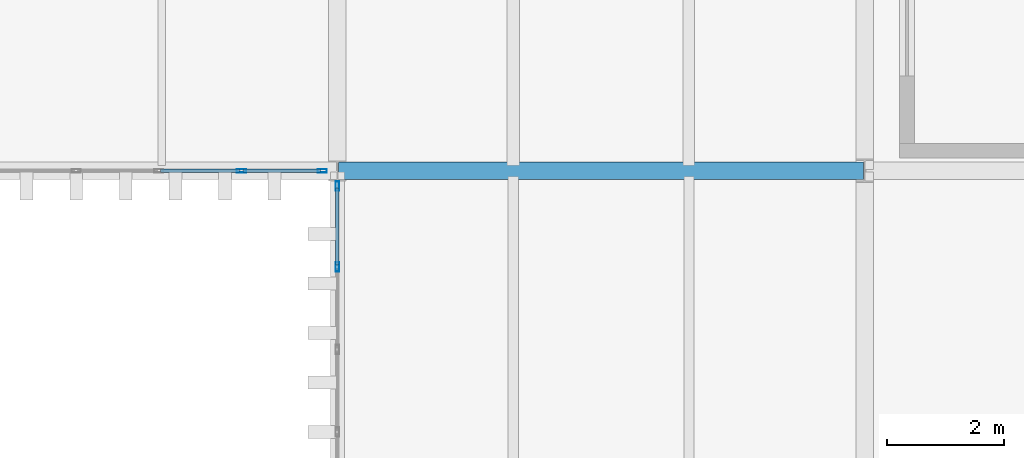
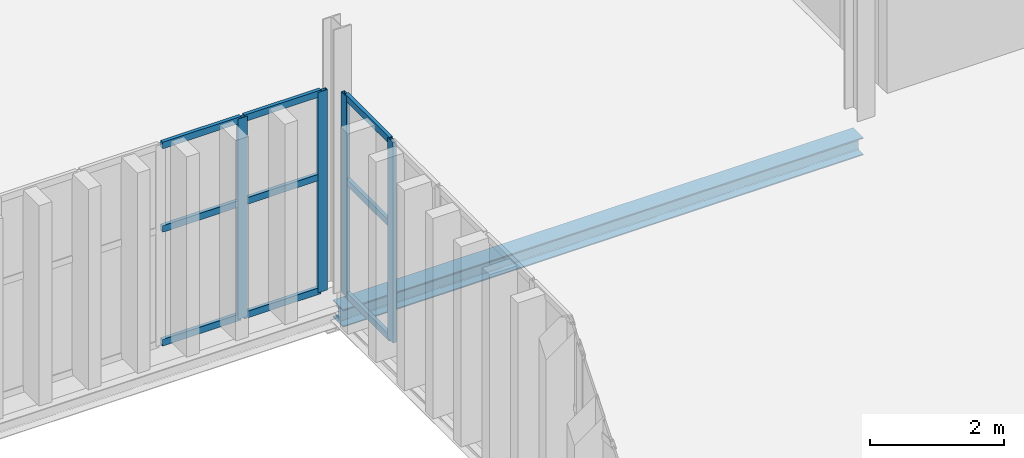
# One storey, part 143 of 196: 13 members, 1 beam, 2 elements without a shape of their own.
"""IFC4 building model written with IfcOpenShell, lengths in metres."""

from ifc_helpers import new_model, si_unit, direction, frame, origin, origin_2d, place, context, subcontext, project, spatial, hollow_rectangle, i_section, extrude, material, layer, layer_set, material_profile, profile_set, type_object, element, aggregate, save


model = new_model("IFC4")

# Units and contexts
model_context = context("Model", 3, precision=1e-05, world=origin(), true_north=direction((0.0, 1.0)))
body_context = subcontext(model_context, "Body", "Model", "MODEL_VIEW")
ifc_project = project(units=[si_unit("LENGTHUNIT", "METRE"), si_unit("AREAUNIT", "SQUARE_METRE"), si_unit("VOLUMEUNIT", "CUBIC_METRE"), si_unit("PLANEANGLEUNIT", "RADIAN"), si_unit("MASSUNIT", "GRAM", prefix="KILO")], contexts=[model_context])

# Site, building, storey
site_placement = place(None, origin())
site = spatial("IfcSite", under=ifc_project, at=site_placement, CompositionType="ELEMENT")
building_placement = place(site_placement, origin())
building = spatial("IfcBuilding", under=site, at=building_placement, Name="Barlavento Convention Centre", CompositionType="ELEMENT")
storey_placement = place(building_placement, frame((0.0, 0.0, 18.0)))
storey = spatial("IfcBuildingStorey", under=building, at=storey_placement, Name="L03", CompositionType="ELEMENT", Elevation=18.0)

# Curtain wall, members
ifc_material_1 = material(Name="Powder-coated aluminium and Low-E glass", Category="aluminium")
ifc_layer = layer(ifc_material_1, 0.179931640625)
ifc_layer_set = layer_set([ifc_layer], Name="ARC-CW-PATIO-B")
curtain_wall_type = type_object("IfcCurtainWallType", Name="ARC-CW-PATIO-B", PredefinedType="NOTDEFINED", material=ifc_layer_set)
curtain_wall_1_placement = place(storey_placement, origin())
curtain_wall_1 = element("IfcCurtainWall", 1, at=curtain_wall_1_placement, inside=storey, type_object=curtain_wall_type, Name="L03 unitised curtain wall CW12", PredefinedType="NOTDEFINED")
ifc_material_2 = material(Name="Powder-coated aluminium", Category="aluminium")
ifc_material_profile_1 = material_profile(ifc_material_2, hollow_rectangle(XDim=0.06005859375, YDim=0.159912109375, WallThickness=0.00390625, at=origin_2d()), Name="AL-MULL 60x160x4")
ifc_profile_set_1 = profile_set([ifc_material_profile_1], Name="Powder-coated aluminium")
member_type_1 = type_object("IfcMemberType", Name="ARC-CWM-60X160", PredefinedType="MULLION", material=ifc_profile_set_1)
member_1_placement = place(storey_placement, frame((169.360107421875, 90.0, 0.0), z_axis=(0.0, 0.0, 1.0), x_axis=(0.0, 1.0, 0.0)))
member_1 = element("IfcMember", 2, at=member_1_placement, type_object=member_type_1, Name="CW12 mullion 6", PredefinedType="MULLION", context=body_context, shape_type="SweptSolid", body=[
    extrude(hollow_rectangle(XDim=0.06005859375, YDim=0.159912109375, WallThickness=0.00390625, at=origin_2d()), origin(), (0.0, 0.0, 1.0), 3.64990234375),
])
member_2_placement = place(storey_placement, frame((170.739990234375, 90.0, 0.0), z_axis=(0.0, 0.0, 1.0), x_axis=(0.0, 1.0, 0.0)))
member_2 = element("IfcMember", 3, at=member_2_placement, type_object=member_type_1, Name="CW12 mullion 7", PredefinedType="MULLION", context=body_context, shape_type="SweptSolid", body=[
    extrude(hollow_rectangle(XDim=0.06005859375, YDim=0.159912109375, WallThickness=0.00390625, at=origin_2d()), origin(), (0.0, 0.0, 1.0), 3.64990234375),
])

curtain_wall_2_placement = place(storey_placement, origin())
curtain_wall_2 = element("IfcCurtainWall", 4, at=curtain_wall_2_placement, inside=storey, type_object=curtain_wall_type, Name="L03 unitised curtain wall CW12", PredefinedType="NOTDEFINED")
member_3_placement = place(storey_placement, frame((171.0, 88.360107421875, 0.0), z_axis=(0.0, 0.0, 1.0), x_axis=(-1.0, 0.0, 0.0)))
member_3 = element("IfcMember", 5, at=member_3_placement, type_object=member_type_1, Name="CW12 mullion 6", PredefinedType="MULLION", context=body_context, shape_type="SweptSolid", body=[
    extrude(hollow_rectangle(XDim=0.06005859375, YDim=0.159912109375, WallThickness=0.00390625, at=origin_2d()), origin(), (0.0, 0.0, 1.0), 3.64990234375),
])
member_4_placement = place(storey_placement, frame((171.0, 89.739990234375, 0.0), z_axis=(0.0, 0.0, 1.0), x_axis=(-1.0, 0.0, 0.0)))
member_4 = element("IfcMember", 6, at=member_4_placement, type_object=member_type_1, Name="CW12 mullion 7", PredefinedType="MULLION", context=body_context, shape_type="SweptSolid", body=[
    extrude(hollow_rectangle(XDim=0.06005859375, YDim=0.159912109375, WallThickness=0.00390625, at=origin_2d()), origin(), (0.0, 0.0, 1.0), 3.64990234375),
])

# Member
ifc_material_profile_2 = material_profile(ifc_material_2, hollow_rectangle(XDim=0.06005859375, YDim=0.1201171875, WallThickness=0.00390625, at=origin_2d()), Name="AL-TRAN 60x120x4")
ifc_profile_set_2 = profile_set([ifc_material_profile_2], Name="Powder-coated aluminium")
member_type_2 = type_object("IfcMemberType", Name="ARC-CWT-60X120", PredefinedType="USERDEFINED", material=ifc_profile_set_2)
member_5_placement = place(storey_placement, frame((167.97998046875, 90.0, 0.030029296875), z_axis=(1.0, 0.0, 0.0), x_axis=(0.0, 1.0, 0.0)))
member_5 = element("IfcMember", 7, at=member_5_placement, type_object=member_type_2, Name="CW12 transom 5.1", ObjectType="TRANSOM", PredefinedType="USERDEFINED", context=body_context, shape_type="SweptSolid", body=[
    extrude(hollow_rectangle(XDim=0.06005859375, YDim=0.1201171875, WallThickness=0.00390625, at=origin_2d()), origin(), (0.0, 0.0, 1.0), 1.35009765625),
])

member_6_placement = place(storey_placement, frame((167.97998046875, 90.0, 2.10009765625), z_axis=(1.0, 0.0, 0.0), x_axis=(0.0, 1.0, 0.0)))
member_6 = element("IfcMember", 8, at=member_6_placement, type_object=member_type_2, Name="CW12 transom 5.2", ObjectType="TRANSOM", PredefinedType="USERDEFINED", context=body_context, shape_type="SweptSolid", body=[
    extrude(hollow_rectangle(XDim=0.06005859375, YDim=0.1201171875, WallThickness=0.00390625, at=origin_2d()), origin(), (0.0, 0.0, 1.0), 1.35009765625),
])

member_7_placement = place(storey_placement, frame((167.97998046875, 90.0, 3.6201171875), z_axis=(1.0, 0.0, 0.0), x_axis=(0.0, 1.0, 0.0)))
member_7 = element("IfcMember", 9, at=member_7_placement, type_object=member_type_2, Name="CW12 transom 5.3", ObjectType="TRANSOM", PredefinedType="USERDEFINED", context=body_context, shape_type="SweptSolid", body=[
    extrude(hollow_rectangle(XDim=0.06005859375, YDim=0.1201171875, WallThickness=0.00390625, at=origin_2d()), origin(), (0.0, 0.0, 1.0), 1.35009765625),
])

member_8_placement = place(storey_placement, frame((169.389892578125, 90.0, 0.030029296875), z_axis=(1.0, 0.0, 0.0), x_axis=(0.0, 1.0, 0.0)))
member_8 = element("IfcMember", 10, at=member_8_placement, type_object=member_type_2, Name="CW12 transom 6.1", ObjectType="TRANSOM", PredefinedType="USERDEFINED", context=body_context, shape_type="SweptSolid", body=[
    extrude(hollow_rectangle(XDim=0.06005859375, YDim=0.1201171875, WallThickness=0.00390625, at=origin_2d()), origin(), (0.0, 0.0, 1.0), 1.320068359375),
])

member_9_placement = place(storey_placement, frame((169.389892578125, 90.0, 2.10009765625), z_axis=(1.0, 0.0, 0.0), x_axis=(0.0, 1.0, 0.0)))
member_9 = element("IfcMember", 11, at=member_9_placement, type_object=member_type_2, Name="CW12 transom 6.2", ObjectType="TRANSOM", PredefinedType="USERDEFINED", context=body_context, shape_type="SweptSolid", body=[
    extrude(hollow_rectangle(XDim=0.06005859375, YDim=0.1201171875, WallThickness=0.00390625, at=origin_2d()), origin(), (0.0, 0.0, 1.0), 1.320068359375),
])

member_10_placement = place(storey_placement, frame((169.389892578125, 90.0, 3.6201171875), z_axis=(1.0, 0.0, 0.0), x_axis=(0.0, 1.0, 0.0)))
member_10 = element("IfcMember", 12, at=member_10_placement, type_object=member_type_2, Name="CW12 transom 6.3", ObjectType="TRANSOM", PredefinedType="USERDEFINED", context=body_context, shape_type="SweptSolid", body=[
    extrude(hollow_rectangle(XDim=0.06005859375, YDim=0.1201171875, WallThickness=0.00390625, at=origin_2d()), origin(), (0.0, 0.0, 1.0), 1.320068359375),
])

aggregate(curtain_wall_1, [member_1, member_2, member_5, member_6, member_7, member_8, member_9, member_10])

member_11_placement = place(storey_placement, frame((171.0, 88.389892578125, 0.030029296875), z_axis=(0.0, 1.0, 0.0), x_axis=(-1.0, 0.0, 0.0)))
member_11 = element("IfcMember", 13, at=member_11_placement, type_object=member_type_2, Name="CW12 transom 6.1", ObjectType="TRANSOM", PredefinedType="USERDEFINED", context=body_context, shape_type="SweptSolid", body=[
    extrude(hollow_rectangle(XDim=0.06005859375, YDim=0.1201171875, WallThickness=0.00390625, at=origin_2d()), origin(), (0.0, 0.0, 1.0), 1.320068359375),
])

member_12_placement = place(storey_placement, frame((171.0, 88.389892578125, 2.10009765625), z_axis=(0.0, 1.0, 0.0), x_axis=(-1.0, 0.0, 0.0)))
member_12 = element("IfcMember", 14, at=member_12_placement, type_object=member_type_2, Name="CW12 transom 6.2", ObjectType="TRANSOM", PredefinedType="USERDEFINED", context=body_context, shape_type="SweptSolid", body=[
    extrude(hollow_rectangle(XDim=0.06005859375, YDim=0.1201171875, WallThickness=0.00390625, at=origin_2d()), origin(), (0.0, 0.0, 1.0), 1.320068359375),
])

member_13_placement = place(storey_placement, frame((171.0, 88.389892578125, 3.6201171875), z_axis=(0.0, 1.0, 0.0), x_axis=(-1.0, 0.0, 0.0)))
member_13 = element("IfcMember", 15, at=member_13_placement, type_object=member_type_2, Name="CW12 transom 6.3", ObjectType="TRANSOM", PredefinedType="USERDEFINED", context=body_context, shape_type="SweptSolid", body=[
    extrude(hollow_rectangle(XDim=0.06005859375, YDim=0.1201171875, WallThickness=0.00390625, at=origin_2d()), origin(), (0.0, 0.0, 1.0), 1.320068359375),
])

aggregate(curtain_wall_2, [member_3, member_4, member_11, member_12, member_13])

# Beam
ifc_material_3 = material(Name="Steel S355", Category="steel")
ifc_material_profile_3 = material_profile(ifc_material_3, i_section(OverallWidth=0.300048828125, OverallDepth=0.320068359375, WebThickness=0.011474609375, FlangeThickness=0.0205078125, FilletRadius=0.027099609375, at=origin_2d()), Name="HEB 320")
ifc_profile_set_3 = profile_set([ifc_material_profile_3], Name="Steel S355")
beam_type = type_object("IfcBeamType", Name="STR-BM-PRI-HEB320", PredefinedType="BEAM", material=ifc_profile_set_3)
beam_placement = place(storey_placement, frame((171.02001953125, 90.0, -0.52001953125), z_axis=(1.0, 0.0, 0.0), x_axis=(0.0, 1.0, 0.0)))
element("IfcBeam", 16, at=beam_placement, inside=storey, type_object=beam_type, Name="L03 primary girder BG13", PredefinedType="BEAM", context=body_context, shape_type="SweptSolid", body=[
    extrude(i_section(OverallWidth=0.300048828125, OverallDepth=0.320068359375, WebThickness=0.011474609375, FlangeThickness=0.0205078125, FilletRadius=0.027099609375, at=origin_2d()), origin(), (0.0, 0.0, 1.0), 8.9599609375),
])

save(model, "model.ifc")
